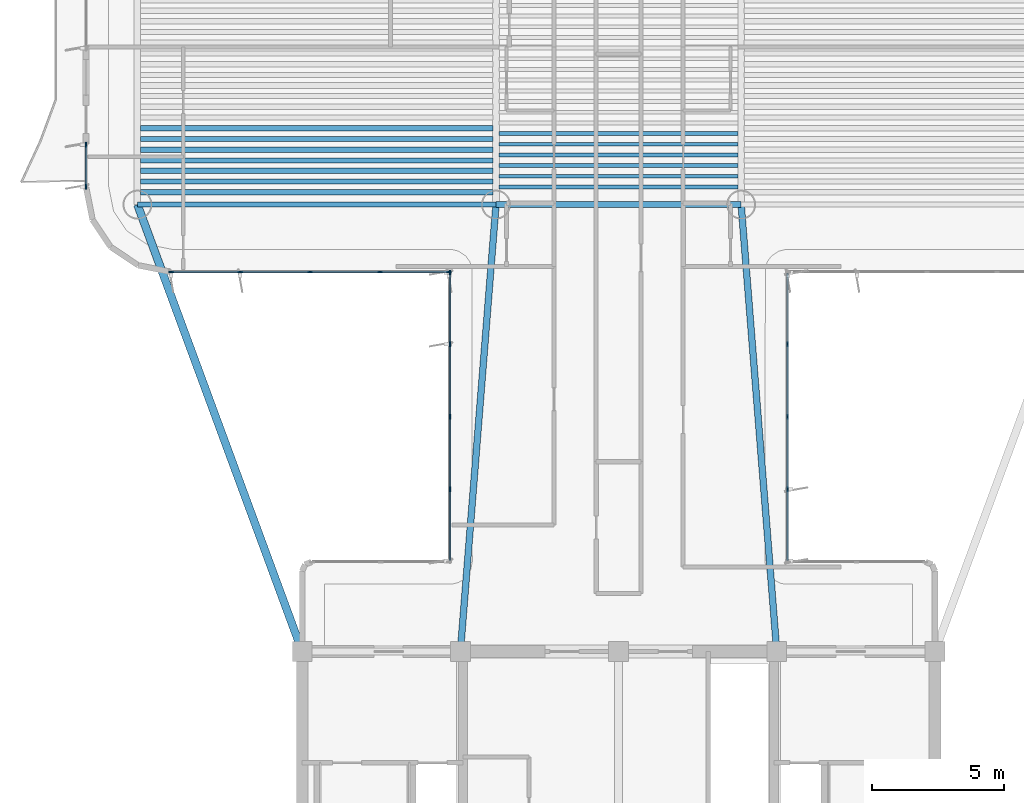
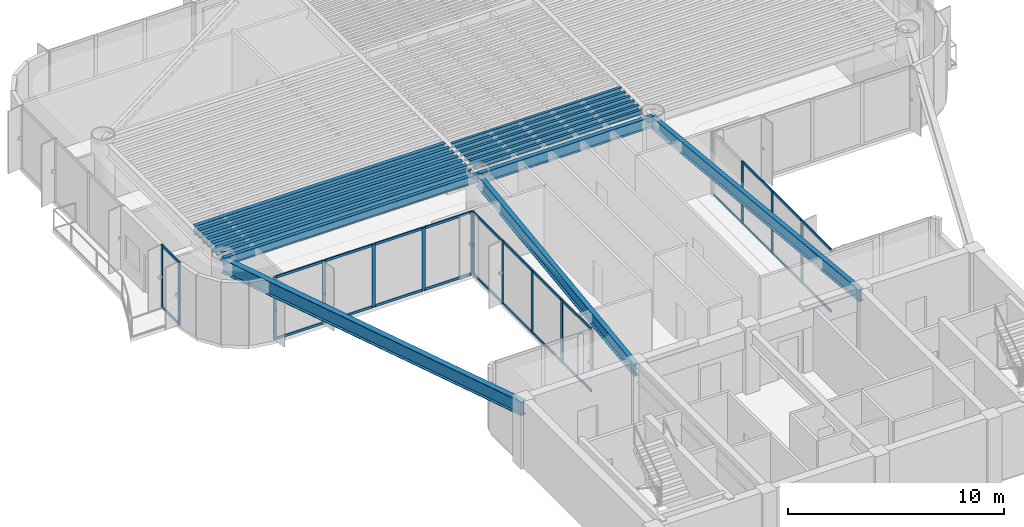
# One storey, part 3 of 14: 39 members, 18 beams, 4 elements without a shape of their own.
"""IFC4 building model written with IfcOpenShell, lengths in metres."""

from ifc_helpers import new_model, si_unit, direction, frame, origin, origin_2d, place, context, subcontext, project, spatial, rectangle, i_section, extrude, source, transform, mapped, material, layer, layer_set, material_profile, profile_set, type_object, element, aggregate, save


model = new_model("IFC4")

# Units and contexts
model_context = context("Model", 3, precision=1e-05, world=origin(), true_north=direction((0.0, 1.0)))
body_context = subcontext(model_context, "Body", "Model", "MODEL_VIEW")
ifc_project = project(units=[si_unit("LENGTHUNIT", "METRE"), si_unit("AREAUNIT", "SQUARE_METRE"), si_unit("VOLUMEUNIT", "CUBIC_METRE"), si_unit("PLANEANGLEUNIT", "RADIAN"), si_unit("MASSUNIT", "GRAM", prefix="KILO")], contexts=[model_context])

# Site, building, storey
site_placement = place(None, origin())
site = spatial("IfcSite", under=ifc_project, at=site_placement, CompositionType="ELEMENT")
building_placement = place(site_placement, origin())
building = spatial("IfcBuilding", under=site, at=building_placement, Name="Brelvock Crest Care Tower", CompositionType="ELEMENT")
storey_placement = place(building_placement, frame((0.0, 0.0, 205.56005859375)))
storey = spatial("IfcBuildingStorey", under=building, at=storey_placement, Name="L52", CompositionType="ELEMENT", Elevation=205.56005859375)

# Beams
ifc_material_1 = material(Name="Steel Grade 350", Category="steel")
ifc_material_profile_1 = material_profile(ifc_material_1, i_section(OverallWidth=0.22900390625, OverallDepth=0.612060546875, WebThickness=0.011962890625, FlangeThickness=0.01953125, FilletRadius=0.013916015625, at=origin_2d()), Name="610UB125")
ifc_profile_set_1 = profile_set([ifc_material_profile_1], Name="Steel Grade 350")
beam_type_1 = type_object("IfcBeamType", Name="BM-G1", PredefinedType="BEAM", material=ifc_profile_set_1)
shared_shape_1 = source(origin(), body_context, "Body", "SweptSolid", [
    extrude(i_section(OverallWidth=0.22900390625, OverallDepth=0.612060546875, WebThickness=0.011962890625, FlangeThickness=0.01953125, FilletRadius=0.013916015625, at=origin_2d()), origin(), (0.0, 0.0, 1.0), 9.2998046875),
])
beam_1_placement = place(storey_placement, frame((31.35009765625, 34.949951171875, 3.223876953125), z_axis=(1.0, 0.0, 0.0), x_axis=(0.0, 1.0, 0.0)))
element("IfcBeam", 1, at=beam_1_placement, inside=storey, type_object=beam_type_1, Name="BM-TWR-L52-05", PredefinedType="BEAM", context=body_context, shape_type="MappedRepresentation", body=[
    mapped(shared_shape_1, transform((0.0, 0.0, 0.0), x_axis=(1.0, 0.0, 0.0), y_axis=(0.0, 1.0, 0.0), z_axis=(0.0, 0.0, 1.0), scale=1.0)),
])
ifc_material_profile_2 = material_profile(ifc_material_1, i_section(OverallWidth=0.14599609375, OverallDepth=0.256103515625, WebThickness=0.00634765625, FlangeThickness=0.010986328125, FilletRadius=0.0087890625, at=origin_2d()), Name="250UB37.3")
ifc_profile_set_2 = profile_set([ifc_material_profile_2], Name="Steel Grade 350")
beam_type_2 = type_object("IfcBeamType", Name="BM-J3", PredefinedType="JOIST", material=ifc_profile_set_2)
shared_shape_2 = source(origin(), body_context, "Body", "SweptSolid", [
    extrude(i_section(OverallWidth=0.14599609375, OverallDepth=0.256103515625, WebThickness=0.00634765625, FlangeThickness=0.010986328125, FilletRadius=0.0087890625, at=origin_2d()), origin(), (0.0, 0.0, 1.0), 9.06982421875),
])
for number, where, z_axis, x_axis, name in (
    (2, (31.465087890625, 35.618896484375, 3.40185546875), (1.0, 0.0, 0.0), (0.0, 1.0, 0.0), "BM-JH-L52-1"),
    (3, (31.465087890625, 36.02392578125, 3.40185546875), (1.0, 0.0, 0.0), (0.0, 1.0, 0.0), "BM-JH-L52-2"),
    (4, (31.465087890625, 36.42919921875, 3.40185546875), (1.0, 0.0, 0.0), (0.0, 1.0, 0.0), "BM-JH-L52-3"),
    (5, (31.465087890625, 36.834228515625, 3.40185546875), (1.0, 0.0, 0.0), (0.0, 1.0, 0.0), "BM-JH-L52-4"),
    (6, (31.465087890625, 37.239501953125, 3.40185546875), (1.0, 0.0, 0.0), (0.0, 1.0, 0.0), "BM-JH-L52-5"),
    (7, (31.465087890625, 37.64453125, 3.40185546875), (1.0, 0.0, 0.0), (0.0, 1.0, 0.0), "BM-JH-L52-6"),
):
    element("IfcBeam", number, at=place(storey_placement, frame(where, z_axis=z_axis, x_axis=x_axis)), inside=storey, type_object=beam_type_2, Name=name, PredefinedType="JOIST", context=body_context, shape_type="MappedRepresentation", body=[
        mapped(shared_shape_2, transform((0.0, 0.0, 0.0), x_axis=(1.0, 0.0, 0.0), y_axis=(0.0, 1.0, 0.0), z_axis=(0.0, 0.0, 1.0), scale=1.0)),
    ])
ifc_material_profile_3 = material_profile(ifc_material_1, i_section(OverallWidth=0.208984375, OverallDepth=0.532958984375, WebThickness=0.01025390625, FlangeThickness=0.015625, FilletRadius=0.013916015625, at=origin_2d()), Name="530UB92.4")
ifc_profile_set_3 = profile_set([ifc_material_profile_3], Name="Steel Grade 350")
beam_type_3 = type_object("IfcBeamType", Name="BM-G2", PredefinedType="BEAM", material=ifc_profile_set_3)
shared_shape_3 = source(origin(), body_context, "Body", "SweptSolid", [
    extrude(i_section(OverallWidth=0.208984375, OverallDepth=0.532958984375, WebThickness=0.01025390625, FlangeThickness=0.015625, FilletRadius=0.013916015625, at=origin_2d()), origin(), (0.0, 0.0, 1.0), 13.3701171875),
])
for number, where, z_axis, x_axis, name in (
    (8, (17.864990234375, 35.416259765625, 3.263427734375), (1.0, 0.0, 0.0), (0.0, 1.0, 0.0), "BM-JW-L52-1"),
    (9, (17.864990234375, 36.2265625, 3.263427734375), (1.0, 0.0, 0.0), (0.0, 1.0, 0.0), "BM-JW-L52-3"),
    (10, (17.864990234375, 37.036865234375, 3.263427734375), (1.0, 0.0, 0.0), (0.0, 1.0, 0.0), "BM-JW-L52-5"),
    (11, (17.864990234375, 37.84716796875, 3.263427734375), (1.0, 0.0, 0.0), (0.0, 1.0, 0.0), "BM-JW-L52-7"),
):
    element("IfcBeam", number, at=place(storey_placement, frame(where, z_axis=z_axis, x_axis=x_axis)), inside=storey, type_object=beam_type_3, Name=name, PredefinedType="BEAM", context=body_context, shape_type="MappedRepresentation", body=[
        mapped(shared_shape_3, transform((0.0, 0.0, 0.0), x_axis=(1.0, 0.0, 0.0), y_axis=(0.0, 1.0, 0.0), z_axis=(0.0, 0.0, 1.0), scale=1.0)),
    ])
ifc_material_profile_4 = material_profile(ifc_material_1, i_section(OverallWidth=0.19091796875, OverallDepth=0.4599609375, WebThickness=0.010009765625, FlangeThickness=0.01611328125, FilletRadius=0.011474609375, at=origin_2d()), Name="460UB82.1")
ifc_profile_set_4 = profile_set([ifc_material_profile_4], Name="Steel Grade 350")
beam_type_4 = type_object("IfcBeamType", Name="BM-G3", PredefinedType="BEAM", material=ifc_profile_set_4)
shared_shape_4 = source(origin(), body_context, "Body", "SweptSolid", [
    extrude(i_section(OverallWidth=0.19091796875, OverallDepth=0.4599609375, WebThickness=0.010009765625, FlangeThickness=0.01611328125, FilletRadius=0.011474609375, at=origin_2d()), origin(), (0.0, 0.0, 1.0), 13.3701171875),
])
for number, where, z_axis, x_axis, name in (
    (12, (17.864990234375, 35.8212890625, 3.300048828125), (1.0, 0.0, 0.0), (0.0, 1.0, 0.0), "BM-JW-L52-2"),
    (13, (17.864990234375, 36.631591796875, 3.300048828125), (1.0, 0.0, 0.0), (0.0, 1.0, 0.0), "BM-JW-L52-4"),
    (14, (17.864990234375, 37.44189453125, 3.300048828125), (1.0, 0.0, 0.0), (0.0, 1.0, 0.0), "BM-JW-L52-6"),
):
    element("IfcBeam", number, at=place(storey_placement, frame(where, z_axis=z_axis, x_axis=x_axis)), inside=storey, type_object=beam_type_4, Name=name, PredefinedType="BEAM", context=body_context, shape_type="MappedRepresentation", body=[
        mapped(shared_shape_4, transform((0.0, 0.0, 0.0), x_axis=(1.0, 0.0, 0.0), y_axis=(0.0, 1.0, 0.0), z_axis=(0.0, 0.0, 1.0), scale=1.0)),
    ])
ifc_material_profile_5 = material_profile(ifc_material_1, i_section(OverallWidth=0.19091796875, OverallDepth=0.4599609375, WebThickness=0.010009765625, FlangeThickness=0.01611328125, FilletRadius=0.011474609375, at=origin_2d()), Name="460UB82.1")
ifc_profile_set_5 = profile_set([ifc_material_profile_5], Name="Steel Grade 350")
beam_type_5 = type_object("IfcBeamType", Name="BM-SP2", PredefinedType="SPANDREL", material=ifc_profile_set_5)
shared_shape_5 = source(origin(), body_context, "Body", "SweptSolid", [
    extrude(i_section(OverallWidth=0.19091796875, OverallDepth=0.4599609375, WebThickness=0.010009765625, FlangeThickness=0.01611328125, FilletRadius=0.011474609375, at=origin_2d()), origin(), (0.0, 0.0, 1.0), 13.60009765625),
])
beam_2_placement = place(storey_placement, frame((17.75, 34.949951171875, 3.300048828125), z_axis=(1.0, 0.0, 0.0), x_axis=(0.0, 1.0, 0.0)))
element("IfcBeam", 15, at=beam_2_placement, inside=storey, type_object=beam_type_5, Name="BM-TWR-L52-03", PredefinedType="SPANDREL", context=body_context, shape_type="MappedRepresentation", body=[
    mapped(shared_shape_5, transform((0.0, 0.0, 0.0), x_axis=(1.0, 0.0, 0.0), y_axis=(0.0, 1.0, 0.0), z_axis=(0.0, 0.0, 1.0), scale=1.0)),
])
ifc_material_profile_6 = material_profile(ifc_material_1, i_section(OverallWidth=0.25, OverallDepth=0.699951171875, WebThickness=0.011962890625, FlangeThickness=0.02001953125, at=origin_2d()), Name="700WB150")
ifc_profile_set_6 = profile_set([ifc_material_profile_6], Name="Steel Grade 350")
beam_type_6 = type_object("IfcBeamType", Name="BM-G4", PredefinedType="BEAM", material=ifc_profile_set_6)
shared_shape_6 = source(origin(), body_context, "Body", "SweptSolid", [
    extrude(i_section(OverallWidth=0.25, OverallDepth=0.699951171875, WebThickness=0.011962890625, FlangeThickness=0.02001953125, at=origin_2d()), origin(), (0.0, 0.0, 1.0), 17.003662109375),
])
for number, where, z_axis, x_axis, name in (
    (16, (30.0, 18.0, 3.179931640625), (0.079400530776, 0.996842793881, 0.0), (-0.996842793881, 0.079400530776, 0.0), "BM-THRW-L52"),
    (17, (42.0, 18.0, 3.179931640625), (-0.079400530776, 0.996842793881, 0.0), (-0.996842793881, -0.079400530776, 0.0), "BM-THRE-L52"),
):
    element("IfcBeam", number, at=place(storey_placement, frame(where, z_axis=z_axis, x_axis=x_axis)), inside=storey, type_object=beam_type_6, Name=name, PredefinedType="BEAM", context=body_context, shape_type="MappedRepresentation", body=[
        mapped(shared_shape_6, transform((0.0, 0.0, 0.0), x_axis=(1.0, 0.0, 0.0), y_axis=(0.0, 1.0, 0.0), z_axis=(0.0, 0.0, 1.0), scale=1.0)),
    ])
ifc_material_profile_7 = material_profile(ifc_material_1, i_section(OverallWidth=0.300048828125, OverallDepth=0.800048828125, WebThickness=0.013916015625, FlangeThickness=0.02197265625, at=origin_2d()), Name="800WB192")
ifc_profile_set_7 = profile_set([ifc_material_profile_7], Name="Steel Grade 350")
beam_type_7 = type_object("IfcBeamType", Name="BM-G5", PredefinedType="BEAM", material=ifc_profile_set_7)
shared_shape_7 = source(origin(), body_context, "Body", "SweptSolid", [
    extrude(i_section(OverallWidth=0.300048828125, OverallDepth=0.800048828125, WebThickness=0.013916015625, FlangeThickness=0.02197265625, at=origin_2d()), origin(), (0.0, 0.0, 1.0), 18.0654296875),
])
beam_3_placement = place(storey_placement, frame((24.0, 18.0, 3.1298828125), z_axis=(-0.345962741309, 0.938248251597, 0.0), x_axis=(-0.938248251597, -0.345962741309, 0.0)))
element("IfcBeam", 18, at=beam_3_placement, inside=storey, type_object=beam_type_7, Name="BM-THRO-W-L52", PredefinedType="BEAM", context=body_context, shape_type="MappedRepresentation", body=[
    mapped(shared_shape_7, transform((0.0, 0.0, 0.0), x_axis=(1.0, 0.0, 0.0), y_axis=(0.0, 1.0, 0.0), z_axis=(0.0, 0.0, 1.0), scale=1.0)),
])

# Curtain wall, members
ifc_material_2 = material(Name="Dark Glass Double Glazed Low-E", Category="glass")
ifc_layer = layer(ifc_material_2, 0.22509765625, Name="CWS-4")
ifc_layer_set = layer_set([ifc_layer], Name="Dark Glass Double Glazed Low-E")
curtain_wall_type = type_object("IfcCurtainWallType", Name="CWS-4", PredefinedType="NOTDEFINED", material=ifc_layer_set)
curtain_wall_1_placement = place(storey_placement, origin())
curtain_wall_1 = element("IfcCurtainWall", 19, at=curtain_wall_1_placement, inside=storey, type_object=curtain_wall_type, Name="L52 Curtain Wall E11", PredefinedType="NOTDEFINED")
ifc_material_3 = material(Name="Aluminium 6063-T6", Category="aluminium")
ifc_material_profile_8 = material_profile(ifc_material_3, rectangle(XDim=0.06005859375, YDim=0.179931640625, at=origin_2d()), Name="ALU60x180")
ifc_profile_set_8 = profile_set([ifc_material_profile_8], Name="Aluminium 6063-T6")
member_type_1 = type_object("IfcMemberType", Name="CWM-2", PredefinedType="MULLION", material=ifc_profile_set_8)
shared_shape_8 = source(origin(), body_context, "Body", "SweptSolid", [
    extrude(rectangle(XDim=0.06005859375, YDim=0.179931640625, at=origin_2d()), origin(), (0.0, 0.0, 1.0), 3.530029296875),
])
member_1_placement = place(storey_placement, frame((29.60009765625, 24.14990234375, 0.0), z_axis=(0.0, 0.0, 1.0), x_axis=(-1.0, 0.0, 0.0)))
member_1 = element("IfcMember", 20, at=member_1_placement, type_object=member_type_1, Name="CW-4 mullion 2", PredefinedType="MULLION", context=body_context, shape_type="MappedRepresentation", body=[
    mapped(shared_shape_8, transform((0.0, 0.0, 0.0), x_axis=(1.0, 0.0, 0.0), y_axis=(0.0, 1.0, 0.0), z_axis=(0.0, 0.0, 1.0), scale=1.0)),
])
member_2_placement = place(storey_placement, frame((29.60009765625, 26.89990234375, 0.0), z_axis=(0.0, 0.0, 1.0), x_axis=(-1.0, 0.0, 0.0)))
member_2 = element("IfcMember", 21, at=member_2_placement, type_object=member_type_1, Name="CW-4 mullion 3", PredefinedType="MULLION", context=body_context, shape_type="MappedRepresentation", body=[
    mapped(shared_shape_8, transform((0.0, 0.0, 0.0), x_axis=(1.0, 0.0, 0.0), y_axis=(0.0, 1.0, 0.0), z_axis=(0.0, 0.0, 1.0), scale=1.0)),
])
member_3_placement = place(storey_placement, frame((29.60009765625, 29.64990234375, 0.0), z_axis=(0.0, 0.0, 1.0), x_axis=(-1.0, 0.0, 0.0)))
member_3 = element("IfcMember", 22, at=member_3_placement, type_object=member_type_1, Name="CW-4 mullion 4", PredefinedType="MULLION", context=body_context, shape_type="MappedRepresentation", body=[
    mapped(shared_shape_8, transform((0.0, 0.0, 0.0), x_axis=(1.0, 0.0, 0.0), y_axis=(0.0, 1.0, 0.0), z_axis=(0.0, 0.0, 1.0), scale=1.0)),
])
member_4_placement = place(storey_placement, frame((29.60009765625, 32.3701171875, 0.0), z_axis=(0.0, 0.0, 1.0), x_axis=(-1.0, 0.0, 0.0)))
member_4 = element("IfcMember", 23, at=member_4_placement, type_object=member_type_1, Name="CW-4 mullion 5", PredefinedType="MULLION", context=body_context, shape_type="MappedRepresentation", body=[
    mapped(shared_shape_8, transform((0.0, 0.0, 0.0), x_axis=(1.0, 0.0, 0.0), y_axis=(0.0, 1.0, 0.0), z_axis=(0.0, 0.0, 1.0), scale=1.0)),
])

curtain_wall_2_placement = place(storey_placement, origin())
curtain_wall_2 = element("IfcCurtainWall", 24, at=curtain_wall_2_placement, inside=storey, type_object=curtain_wall_type, Name="L52 Curtain Wall E12", PredefinedType="NOTDEFINED")
member_5_placement = place(storey_placement, frame((29.570068359375, 32.39990234375, 0.0), z_axis=(0.0, 0.0, 1.0), x_axis=(0.0, -1.0, 0.0)))
member_5 = element("IfcMember", 25, at=member_5_placement, type_object=member_type_1, Name="CW-4 mullion 1", PredefinedType="MULLION", context=body_context, shape_type="MappedRepresentation", body=[
    mapped(shared_shape_8, transform((0.0, 0.0, 0.0), x_axis=(1.0, 0.0, 0.0), y_axis=(0.0, 1.0, 0.0), z_axis=(0.0, 0.0, 1.0), scale=1.0)),
])
member_6_placement = place(storey_placement, frame((26.949951171875, 32.39990234375, 0.0), z_axis=(0.0, 0.0, 1.0), x_axis=(0.0, -1.0, 0.0)))
member_6 = element("IfcMember", 26, at=member_6_placement, type_object=member_type_1, Name="CW-4 mullion 2", PredefinedType="MULLION", context=body_context, shape_type="MappedRepresentation", body=[
    mapped(shared_shape_8, transform((0.0, 0.0, 0.0), x_axis=(1.0, 0.0, 0.0), y_axis=(0.0, 1.0, 0.0), z_axis=(0.0, 0.0, 1.0), scale=1.0)),
])
member_7_placement = place(storey_placement, frame((24.300048828125, 32.39990234375, 0.0), z_axis=(0.0, 0.0, 1.0), x_axis=(0.0, -1.0, 0.0)))
member_7 = element("IfcMember", 27, at=member_7_placement, type_object=member_type_1, Name="CW-4 mullion 3", PredefinedType="MULLION", context=body_context, shape_type="MappedRepresentation", body=[
    mapped(shared_shape_8, transform((0.0, 0.0, 0.0), x_axis=(1.0, 0.0, 0.0), y_axis=(0.0, 1.0, 0.0), z_axis=(0.0, 0.0, 1.0), scale=1.0)),
])
member_8_placement = place(storey_placement, frame((21.64990234375, 32.39990234375, 0.0), z_axis=(0.0, 0.0, 1.0), x_axis=(0.0, -1.0, 0.0)))
member_8 = element("IfcMember", 28, at=member_8_placement, type_object=member_type_1, Name="CW-4 mullion 4", PredefinedType="MULLION", context=body_context, shape_type="MappedRepresentation", body=[
    mapped(shared_shape_8, transform((0.0, 0.0, 0.0), x_axis=(1.0, 0.0, 0.0), y_axis=(0.0, 1.0, 0.0), z_axis=(0.0, 0.0, 1.0), scale=1.0)),
])
member_9_placement = place(storey_placement, frame((19.030029296875, 32.39990234375, 0.0), z_axis=(0.0, 0.0, 1.0), x_axis=(0.0, -1.0, 0.0)))
member_9 = element("IfcMember", 29, at=member_9_placement, type_object=member_type_1, Name="CW-4 mullion 5", PredefinedType="MULLION", context=body_context, shape_type="MappedRepresentation", body=[
    mapped(shared_shape_8, transform((0.0, 0.0, 0.0), x_axis=(1.0, 0.0, 0.0), y_axis=(0.0, 1.0, 0.0), z_axis=(0.0, 0.0, 1.0), scale=1.0)),
])

curtain_wall_3_placement = place(storey_placement, origin())
curtain_wall_3 = element("IfcCurtainWall", 30, at=curtain_wall_3_placement, inside=storey, type_object=curtain_wall_type, Name="L52 Curtain Wall E17A", PredefinedType="NOTDEFINED")
member_10_placement = place(storey_placement, frame((15.800048828125, 35.6298828125, 0.0), z_axis=(0.0, 0.0, 1.0), x_axis=(-1.0, 0.0, 0.0)))
member_10 = element("IfcMember", 31, at=member_10_placement, type_object=member_type_1, Name="CW-4 mullion 1", PredefinedType="MULLION", context=body_context, shape_type="MappedRepresentation", body=[
    mapped(shared_shape_8, transform((0.0, 0.0, 0.0), x_axis=(1.0, 0.0, 0.0), y_axis=(0.0, 1.0, 0.0), z_axis=(0.0, 0.0, 1.0), scale=1.0)),
])
member_11_placement = place(storey_placement, frame((15.800048828125, 37.219970703125, 0.0), z_axis=(0.0, 0.0, 1.0), x_axis=(-1.0, 0.0, 0.0)))
member_11 = element("IfcMember", 32, at=member_11_placement, type_object=member_type_1, Name="CW-4 mullion 2", PredefinedType="MULLION", context=body_context, shape_type="MappedRepresentation", body=[
    mapped(shared_shape_8, transform((0.0, 0.0, 0.0), x_axis=(1.0, 0.0, 0.0), y_axis=(0.0, 1.0, 0.0), z_axis=(0.0, 0.0, 1.0), scale=1.0)),
])

curtain_wall_4_placement = place(storey_placement, origin())
curtain_wall_4 = element("IfcCurtainWall", 33, at=curtain_wall_4_placement, inside=storey, type_object=curtain_wall_type, Name="L52 Curtain Wall E45", PredefinedType="NOTDEFINED")
member_12_placement = place(storey_placement, frame((42.39990234375, 29.64990234375, 0.0), z_axis=(0.0, 0.0, 1.0), x_axis=(1.0, 0.0, 0.0)))
member_12 = element("IfcMember", 34, at=member_12_placement, type_object=member_type_1, Name="CW-4 mullion 2", PredefinedType="MULLION", context=body_context, shape_type="MappedRepresentation", body=[
    mapped(shared_shape_8, transform((0.0, 0.0, 0.0), x_axis=(1.0, 0.0, 0.0), y_axis=(0.0, 1.0, 0.0), z_axis=(0.0, 0.0, 1.0), scale=1.0)),
])
member_13_placement = place(storey_placement, frame((42.39990234375, 26.89990234375, 0.0), z_axis=(0.0, 0.0, 1.0), x_axis=(1.0, 0.0, 0.0)))
member_13 = element("IfcMember", 35, at=member_13_placement, type_object=member_type_1, Name="CW-4 mullion 3", PredefinedType="MULLION", context=body_context, shape_type="MappedRepresentation", body=[
    mapped(shared_shape_8, transform((0.0, 0.0, 0.0), x_axis=(1.0, 0.0, 0.0), y_axis=(0.0, 1.0, 0.0), z_axis=(0.0, 0.0, 1.0), scale=1.0)),
])
member_14_placement = place(storey_placement, frame((42.39990234375, 24.14990234375, 0.0), z_axis=(0.0, 0.0, 1.0), x_axis=(1.0, 0.0, 0.0)))
member_14 = element("IfcMember", 36, at=member_14_placement, type_object=member_type_1, Name="CW-4 mullion 4", PredefinedType="MULLION", context=body_context, shape_type="MappedRepresentation", body=[
    mapped(shared_shape_8, transform((0.0, 0.0, 0.0), x_axis=(1.0, 0.0, 0.0), y_axis=(0.0, 1.0, 0.0), z_axis=(0.0, 0.0, 1.0), scale=1.0)),
])

# Member
ifc_material_profile_9 = material_profile(ifc_material_3, rectangle(XDim=0.06005859375, YDim=0.139892578125, at=origin_2d()), Name="ALU60x140")
ifc_profile_set_9 = profile_set([ifc_material_profile_9], Name="Aluminium 6063-T6")
member_type_2 = type_object("IfcMemberType", Name="CWT-2", PredefinedType="USERDEFINED", material=ifc_profile_set_9)
shared_shape_9 = source(origin(), body_context, "Body", "SweptSolid", [
    extrude(rectangle(XDim=0.06005859375, YDim=0.139892578125, at=origin_2d()), origin(), (0.0, 0.0, 1.0), 2.66015625),
])
member_15_placement = place(storey_placement, frame((29.60009765625, 21.4599609375, 0.030029296875), z_axis=(0.0, 1.0, 0.0), x_axis=(-1.0, 0.0, 0.0)))
member_15 = element("IfcMember", 37, at=member_15_placement, type_object=member_type_2, Name="CW-4 transom 1.1", ObjectType="TRANSOM", PredefinedType="USERDEFINED", context=body_context, shape_type="MappedRepresentation", body=[
    mapped(shared_shape_9, transform((0.0, 0.0, 0.0), x_axis=(1.0, 0.0, 0.0), y_axis=(0.0, 1.0, 0.0), z_axis=(0.0, 0.0, 1.0), scale=1.0)),
])

member_16_placement = place(storey_placement, frame((29.60009765625, 21.4599609375, 3.5), z_axis=(0.0, 1.0, 0.0), x_axis=(-1.0, 0.0, 0.0)))
member_16 = element("IfcMember", 38, at=member_16_placement, type_object=member_type_2, Name="CW-4 transom 1.2", ObjectType="TRANSOM", PredefinedType="USERDEFINED", context=body_context, shape_type="MappedRepresentation", body=[
    mapped(shared_shape_9, transform((0.0, 0.0, 0.0), x_axis=(1.0, 0.0, 0.0), y_axis=(0.0, 1.0, 0.0), z_axis=(0.0, 0.0, 1.0), scale=1.0)),
])

member_17_placement = place(storey_placement, frame((29.60009765625, 29.679931640625, 0.030029296875), z_axis=(0.0, 1.0, 0.0), x_axis=(-1.0, 0.0, 0.0)))
member_17 = element("IfcMember", 39, at=member_17_placement, type_object=member_type_2, Name="CW-4 transom 4.1", ObjectType="TRANSOM", PredefinedType="USERDEFINED", context=body_context, shape_type="MappedRepresentation", body=[
    mapped(shared_shape_9, transform((0.0, 0.0, 0.0), x_axis=(1.0, 0.0, 0.0), y_axis=(0.0, 1.0, 0.0), z_axis=(0.0, 0.0, 1.0), scale=1.0)),
])

member_18_placement = place(storey_placement, frame((29.60009765625, 29.679931640625, 3.5), z_axis=(0.0, 1.0, 0.0), x_axis=(-1.0, 0.0, 0.0)))
member_18 = element("IfcMember", 40, at=member_18_placement, type_object=member_type_2, Name="CW-4 transom 4.2", ObjectType="TRANSOM", PredefinedType="USERDEFINED", context=body_context, shape_type="MappedRepresentation", body=[
    mapped(shared_shape_9, transform((0.0, 0.0, 0.0), x_axis=(1.0, 0.0, 0.0), y_axis=(0.0, 1.0, 0.0), z_axis=(0.0, 0.0, 1.0), scale=1.0)),
])

member_19_placement = place(storey_placement, frame((42.39990234375, 32.340087890625, 0.030029296875), z_axis=(0.0, -1.0, 0.0), x_axis=(1.0, 0.0, 0.0)))
member_19 = element("IfcMember", 41, at=member_19_placement, type_object=member_type_2, Name="CW-4 transom 1.1", ObjectType="TRANSOM", PredefinedType="USERDEFINED", context=body_context, shape_type="MappedRepresentation", body=[
    mapped(shared_shape_9, transform((0.0, 0.0, 0.0), x_axis=(1.0, 0.0, 0.0), y_axis=(0.0, 1.0, 0.0), z_axis=(0.0, 0.0, 1.0), scale=1.0)),
])

member_20_placement = place(storey_placement, frame((42.39990234375, 24.1201171875, 0.030029296875), z_axis=(0.0, -1.0, 0.0), x_axis=(1.0, 0.0, 0.0)))
member_20 = element("IfcMember", 42, at=member_20_placement, type_object=member_type_2, Name="CW-4 transom 4.1", ObjectType="TRANSOM", PredefinedType="USERDEFINED", context=body_context, shape_type="MappedRepresentation", body=[
    mapped(shared_shape_9, transform((0.0, 0.0, 0.0), x_axis=(1.0, 0.0, 0.0), y_axis=(0.0, 1.0, 0.0), z_axis=(0.0, 0.0, 1.0), scale=1.0)),
])

member_21_placement = place(storey_placement, frame((42.39990234375, 24.1201171875, 3.5), z_axis=(0.0, -1.0, 0.0), x_axis=(1.0, 0.0, 0.0)))
member_21 = element("IfcMember", 43, at=member_21_placement, type_object=member_type_2, Name="CW-4 transom 4.2", ObjectType="TRANSOM", PredefinedType="USERDEFINED", context=body_context, shape_type="MappedRepresentation", body=[
    mapped(shared_shape_9, transform((0.0, 0.0, 0.0), x_axis=(1.0, 0.0, 0.0), y_axis=(0.0, 1.0, 0.0), z_axis=(0.0, 0.0, 1.0), scale=1.0)),
])

shared_shape_10 = source(origin(), body_context, "Body", "SweptSolid", [
    extrude(rectangle(XDim=0.06005859375, YDim=0.139892578125, at=origin_2d()), origin(), (0.0, 0.0, 1.0), 2.690185546875),
])
member_22_placement = place(storey_placement, frame((29.60009765625, 24.179931640625, 0.030029296875), z_axis=(0.0, 1.0, 0.0), x_axis=(-1.0, 0.0, 0.0)))
member_22 = element("IfcMember", 44, at=member_22_placement, type_object=member_type_2, Name="CW-4 transom 2.1", ObjectType="TRANSOM", PredefinedType="USERDEFINED", context=body_context, shape_type="MappedRepresentation", body=[
    mapped(shared_shape_10, transform((0.0, 0.0, 0.0), x_axis=(1.0, 0.0, 0.0), y_axis=(0.0, 1.0, 0.0), z_axis=(0.0, 0.0, 1.0), scale=1.0)),
])

member_23_placement = place(storey_placement, frame((29.60009765625, 24.179931640625, 3.5), z_axis=(0.0, 1.0, 0.0), x_axis=(-1.0, 0.0, 0.0)))
member_23 = element("IfcMember", 45, at=member_23_placement, type_object=member_type_2, Name="CW-4 transom 2.2", ObjectType="TRANSOM", PredefinedType="USERDEFINED", context=body_context, shape_type="MappedRepresentation", body=[
    mapped(shared_shape_10, transform((0.0, 0.0, 0.0), x_axis=(1.0, 0.0, 0.0), y_axis=(0.0, 1.0, 0.0), z_axis=(0.0, 0.0, 1.0), scale=1.0)),
])

member_24_placement = place(storey_placement, frame((29.60009765625, 26.929931640625, 0.030029296875), z_axis=(0.0, 1.0, 0.0), x_axis=(-1.0, 0.0, 0.0)))
member_24 = element("IfcMember", 46, at=member_24_placement, type_object=member_type_2, Name="CW-4 transom 3.1", ObjectType="TRANSOM", PredefinedType="USERDEFINED", context=body_context, shape_type="MappedRepresentation", body=[
    mapped(shared_shape_10, transform((0.0, 0.0, 0.0), x_axis=(1.0, 0.0, 0.0), y_axis=(0.0, 1.0, 0.0), z_axis=(0.0, 0.0, 1.0), scale=1.0)),
])

member_25_placement = place(storey_placement, frame((29.60009765625, 26.929931640625, 3.5), z_axis=(0.0, 1.0, 0.0), x_axis=(-1.0, 0.0, 0.0)))
member_25 = element("IfcMember", 47, at=member_25_placement, type_object=member_type_2, Name="CW-4 transom 3.2", ObjectType="TRANSOM", PredefinedType="USERDEFINED", context=body_context, shape_type="MappedRepresentation", body=[
    mapped(shared_shape_10, transform((0.0, 0.0, 0.0), x_axis=(1.0, 0.0, 0.0), y_axis=(0.0, 1.0, 0.0), z_axis=(0.0, 0.0, 1.0), scale=1.0)),
])

aggregate(curtain_wall_1, [member_1, member_2, member_3, member_4, member_15, member_16, member_22, member_23, member_24, member_25, member_17, member_18])

member_26_placement = place(storey_placement, frame((42.39990234375, 29.6201171875, 0.030029296875), z_axis=(0.0, -1.0, 0.0), x_axis=(1.0, 0.0, 0.0)))
member_26 = element("IfcMember", 48, at=member_26_placement, type_object=member_type_2, Name="CW-4 transom 2.1", ObjectType="TRANSOM", PredefinedType="USERDEFINED", context=body_context, shape_type="MappedRepresentation", body=[
    mapped(shared_shape_10, transform((0.0, 0.0, 0.0), x_axis=(1.0, 0.0, 0.0), y_axis=(0.0, 1.0, 0.0), z_axis=(0.0, 0.0, 1.0), scale=1.0)),
])

member_27_placement = place(storey_placement, frame((42.39990234375, 29.6201171875, 3.5), z_axis=(0.0, -1.0, 0.0), x_axis=(1.0, 0.0, 0.0)))
member_27 = element("IfcMember", 49, at=member_27_placement, type_object=member_type_2, Name="CW-4 transom 2.2", ObjectType="TRANSOM", PredefinedType="USERDEFINED", context=body_context, shape_type="MappedRepresentation", body=[
    mapped(shared_shape_10, transform((0.0, 0.0, 0.0), x_axis=(1.0, 0.0, 0.0), y_axis=(0.0, 1.0, 0.0), z_axis=(0.0, 0.0, 1.0), scale=1.0)),
])

member_28_placement = place(storey_placement, frame((42.39990234375, 26.8701171875, 0.030029296875), z_axis=(0.0, -1.0, 0.0), x_axis=(1.0, 0.0, 0.0)))
member_28 = element("IfcMember", 50, at=member_28_placement, type_object=member_type_2, Name="CW-4 transom 3.1", ObjectType="TRANSOM", PredefinedType="USERDEFINED", context=body_context, shape_type="MappedRepresentation", body=[
    mapped(shared_shape_10, transform((0.0, 0.0, 0.0), x_axis=(1.0, 0.0, 0.0), y_axis=(0.0, 1.0, 0.0), z_axis=(0.0, 0.0, 1.0), scale=1.0)),
])

member_29_placement = place(storey_placement, frame((42.39990234375, 26.8701171875, 3.5), z_axis=(0.0, -1.0, 0.0), x_axis=(1.0, 0.0, 0.0)))
member_29 = element("IfcMember", 51, at=member_29_placement, type_object=member_type_2, Name="CW-4 transom 3.2", ObjectType="TRANSOM", PredefinedType="USERDEFINED", context=body_context, shape_type="MappedRepresentation", body=[
    mapped(shared_shape_10, transform((0.0, 0.0, 0.0), x_axis=(1.0, 0.0, 0.0), y_axis=(0.0, 1.0, 0.0), z_axis=(0.0, 0.0, 1.0), scale=1.0)),
])

aggregate(curtain_wall_4, [member_12, member_13, member_14, member_19, member_26, member_27, member_28, member_29, member_20, member_21])

shared_shape_11 = source(origin(), body_context, "Body", "SweptSolid", [
    extrude(rectangle(XDim=0.06005859375, YDim=0.139892578125, at=origin_2d()), origin(), (0.0, 0.0, 1.0), 2.56005859375),
])
member_30_placement = place(storey_placement, frame((29.5400390625, 32.39990234375, 0.030029296875), z_axis=(-1.0, 0.0, 0.0), x_axis=(0.0, -1.0, 0.0)))
member_30 = element("IfcMember", 52, at=member_30_placement, type_object=member_type_2, Name="CW-4 transom 1.1", ObjectType="TRANSOM", PredefinedType="USERDEFINED", context=body_context, shape_type="MappedRepresentation", body=[
    mapped(shared_shape_11, transform((0.0, 0.0, 0.0), x_axis=(1.0, 0.0, 0.0), y_axis=(0.0, 1.0, 0.0), z_axis=(0.0, 0.0, 1.0), scale=1.0)),
])

member_31_placement = place(storey_placement, frame((29.5400390625, 32.39990234375, 3.5), z_axis=(-1.0, 0.0, 0.0), x_axis=(0.0, -1.0, 0.0)))
member_31 = element("IfcMember", 53, at=member_31_placement, type_object=member_type_2, Name="CW-4 transom 1.2", ObjectType="TRANSOM", PredefinedType="USERDEFINED", context=body_context, shape_type="MappedRepresentation", body=[
    mapped(shared_shape_11, transform((0.0, 0.0, 0.0), x_axis=(1.0, 0.0, 0.0), y_axis=(0.0, 1.0, 0.0), z_axis=(0.0, 0.0, 1.0), scale=1.0)),
])

member_32_placement = place(storey_placement, frame((21.6201171875, 32.39990234375, 0.030029296875), z_axis=(-1.0, 0.0, 0.0), x_axis=(0.0, -1.0, 0.0)))
member_32 = element("IfcMember", 54, at=member_32_placement, type_object=member_type_2, Name="CW-4 transom 4.1", ObjectType="TRANSOM", PredefinedType="USERDEFINED", context=body_context, shape_type="MappedRepresentation", body=[
    mapped(shared_shape_11, transform((0.0, 0.0, 0.0), x_axis=(1.0, 0.0, 0.0), y_axis=(0.0, 1.0, 0.0), z_axis=(0.0, 0.0, 1.0), scale=1.0)),
])

member_33_placement = place(storey_placement, frame((21.6201171875, 32.39990234375, 3.5), z_axis=(-1.0, 0.0, 0.0), x_axis=(0.0, -1.0, 0.0)))
member_33 = element("IfcMember", 55, at=member_33_placement, type_object=member_type_2, Name="CW-4 transom 4.2", ObjectType="TRANSOM", PredefinedType="USERDEFINED", context=body_context, shape_type="MappedRepresentation", body=[
    mapped(shared_shape_11, transform((0.0, 0.0, 0.0), x_axis=(1.0, 0.0, 0.0), y_axis=(0.0, 1.0, 0.0), z_axis=(0.0, 0.0, 1.0), scale=1.0)),
])

shared_shape_12 = source(origin(), body_context, "Body", "SweptSolid", [
    extrude(rectangle(XDim=0.06005859375, YDim=0.139892578125, at=origin_2d()), origin(), (0.0, 0.0, 1.0), 2.58984375),
])
member_34_placement = place(storey_placement, frame((26.919921875, 32.39990234375, 0.030029296875), z_axis=(-1.0, 0.0, 0.0), x_axis=(0.0, -1.0, 0.0)))
member_34 = element("IfcMember", 56, at=member_34_placement, type_object=member_type_2, Name="CW-4 transom 2.1", ObjectType="TRANSOM", PredefinedType="USERDEFINED", context=body_context, shape_type="MappedRepresentation", body=[
    mapped(shared_shape_12, transform((0.0, 0.0, 0.0), x_axis=(1.0, 0.0, 0.0), y_axis=(0.0, 1.0, 0.0), z_axis=(0.0, 0.0, 1.0), scale=1.0)),
])

member_35_placement = place(storey_placement, frame((26.919921875, 32.39990234375, 3.5), z_axis=(-1.0, 0.0, 0.0), x_axis=(0.0, -1.0, 0.0)))
member_35 = element("IfcMember", 57, at=member_35_placement, type_object=member_type_2, Name="CW-4 transom 2.2", ObjectType="TRANSOM", PredefinedType="USERDEFINED", context=body_context, shape_type="MappedRepresentation", body=[
    mapped(shared_shape_12, transform((0.0, 0.0, 0.0), x_axis=(1.0, 0.0, 0.0), y_axis=(0.0, 1.0, 0.0), z_axis=(0.0, 0.0, 1.0), scale=1.0)),
])

shared_shape_13 = source(origin(), body_context, "Body", "SweptSolid", [
    extrude(rectangle(XDim=0.06005859375, YDim=0.139892578125, at=origin_2d()), origin(), (0.0, 0.0, 1.0), 2.590087890625),
])
member_36_placement = place(storey_placement, frame((24.27001953125, 32.39990234375, 0.030029296875), z_axis=(-1.0, 0.0, 0.0), x_axis=(0.0, -1.0, 0.0)))
member_36 = element("IfcMember", 58, at=member_36_placement, type_object=member_type_2, Name="CW-4 transom 3.1", ObjectType="TRANSOM", PredefinedType="USERDEFINED", context=body_context, shape_type="MappedRepresentation", body=[
    mapped(shared_shape_13, transform((0.0, 0.0, 0.0), x_axis=(1.0, 0.0, 0.0), y_axis=(0.0, 1.0, 0.0), z_axis=(0.0, 0.0, 1.0), scale=1.0)),
])

member_37_placement = place(storey_placement, frame((24.27001953125, 32.39990234375, 3.5), z_axis=(-1.0, 0.0, 0.0), x_axis=(0.0, -1.0, 0.0)))
member_37 = element("IfcMember", 59, at=member_37_placement, type_object=member_type_2, Name="CW-4 transom 3.2", ObjectType="TRANSOM", PredefinedType="USERDEFINED", context=body_context, shape_type="MappedRepresentation", body=[
    mapped(shared_shape_13, transform((0.0, 0.0, 0.0), x_axis=(1.0, 0.0, 0.0), y_axis=(0.0, 1.0, 0.0), z_axis=(0.0, 0.0, 1.0), scale=1.0)),
])

aggregate(curtain_wall_2, [member_5, member_6, member_7, member_8, member_9, member_30, member_31, member_34, member_35, member_36, member_37, member_32, member_33])

shared_shape_14 = source(origin(), body_context, "Body", "SweptSolid", [
    extrude(rectangle(XDim=0.06005859375, YDim=0.139892578125, at=origin_2d()), origin(), (0.0, 0.0, 1.0), 1.530029296875),
])
member_38_placement = place(storey_placement, frame((15.800048828125, 35.659912109375, 0.030029296875), z_axis=(0.0, 1.0, 0.0), x_axis=(-1.0, 0.0, 0.0)))
member_38 = element("IfcMember", 60, at=member_38_placement, type_object=member_type_2, Name="CW-4 transom 1.1", ObjectType="TRANSOM", PredefinedType="USERDEFINED", context=body_context, shape_type="MappedRepresentation", body=[
    mapped(shared_shape_14, transform((0.0, 0.0, 0.0), x_axis=(1.0, 0.0, 0.0), y_axis=(0.0, 1.0, 0.0), z_axis=(0.0, 0.0, 1.0), scale=1.0)),
])

member_39_placement = place(storey_placement, frame((15.800048828125, 35.659912109375, 3.5), z_axis=(0.0, 1.0, 0.0), x_axis=(-1.0, 0.0, 0.0)))
member_39 = element("IfcMember", 61, at=member_39_placement, type_object=member_type_2, Name="CW-4 transom 1.2", ObjectType="TRANSOM", PredefinedType="USERDEFINED", context=body_context, shape_type="MappedRepresentation", body=[
    mapped(shared_shape_14, transform((0.0, 0.0, 0.0), x_axis=(1.0, 0.0, 0.0), y_axis=(0.0, 1.0, 0.0), z_axis=(0.0, 0.0, 1.0), scale=1.0)),
])

aggregate(curtain_wall_3, [member_10, member_11, member_38, member_39])

save(model, "model.ifc")
